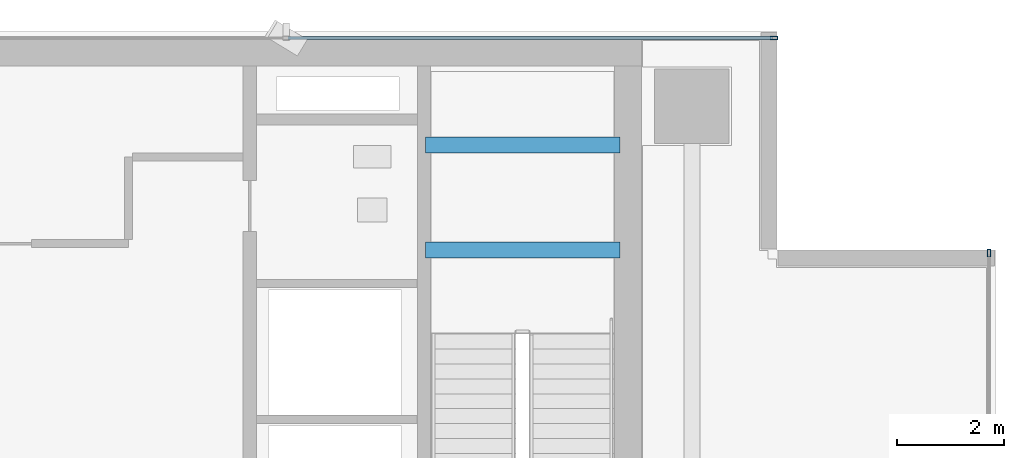
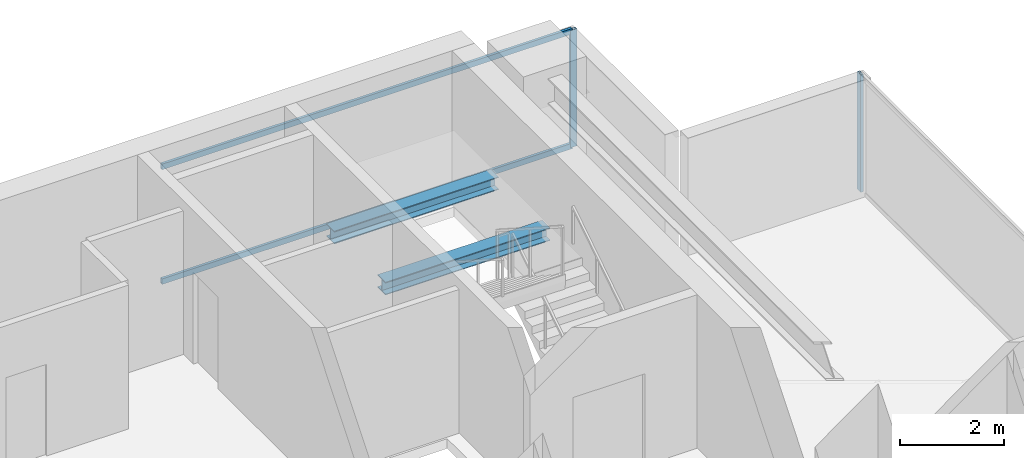
# One storey, part 18 of 26: 4 members, 2 beams, 2 elements without a shape of their own.
"""IFC4 building model written with IfcOpenShell, lengths in metres."""

from ifc_helpers import new_model, si_unit, direction, frame, origin, origin_2d, place, context, subcontext, project, spatial, hollow_rectangle, i_section, extrude, source, transform, mapped, material, layer, layer_set, material_profile, profile_set, type_object, element, aggregate, save


model = new_model("IFC4")

# Units and contexts
model_context = context("Model", 3, precision=1e-05, world=origin(), true_north=direction((0.0, 1.0)))
body_context = subcontext(model_context, "Body", "Model", "MODEL_VIEW")
ifc_project = project(units=[si_unit("LENGTHUNIT", "METRE"), si_unit("AREAUNIT", "SQUARE_METRE"), si_unit("VOLUMEUNIT", "CUBIC_METRE"), si_unit("PLANEANGLEUNIT", "RADIAN"), si_unit("MASSUNIT", "GRAM", prefix="KILO")], contexts=[model_context])

# Site, building, storey
site_placement = place(None, origin())
site = spatial("IfcSite", under=ifc_project, at=site_placement, CompositionType="ELEMENT")
building_placement = place(site_placement, origin())
building = spatial("IfcBuilding", under=site, at=building_placement, Name="Sumidabori Civic Tower", CompositionType="ELEMENT")
storey_placement = place(building_placement, frame((0.0, 0.0, 236.0)))
storey = spatial("IfcBuildingStorey", under=building, at=storey_placement, Name="L61", CompositionType="ELEMENT", Elevation=236.0)

# Beams
ifc_material_1 = material(Name="Steel SN490", Category="steel")
ifc_material_profile_1 = material_profile(ifc_material_1, i_section(OverallWidth=0.300048828125, OverallDepth=0.300048828125, WebThickness=0.010986328125, FlangeThickness=0.01904296875, at=origin_2d()), Name="HE 300 B")
ifc_profile_set_1 = profile_set([ifc_material_profile_1], Name="Steel SN490")
beam_type = type_object("IfcBeamType", Name="BM-LDG-300", PredefinedType="BEAM", material=ifc_profile_set_1)
shared_shape_1 = source(origin(), body_context, "Body", "SweptSolid", [
    extrude(i_section(OverallWidth=0.300048828125, OverallDepth=0.300048828125, WebThickness=0.010986328125, FlangeThickness=0.01904296875, at=origin_2d()), origin(), (0.0, 0.0, 1.0), 3.64990234375),
])
for number, where, z_axis, x_axis, name in (
    (1, (11.800048828125, 20.09765625, 1.449951171875), (1.0, 0.0, 0.0), (0.0, 1.0, 0.0), "Stair ST-2 Landing Support Beam L61-1A"),
    (2, (11.800048828125, 22.069580078125, 1.449951171875), (1.0, 0.0, 0.0), (0.0, 1.0, 0.0), "Stair ST-2 Landing Trimmer Beam L61-1B"),
):
    element("IfcBeam", number, at=place(storey_placement, frame(where, z_axis=z_axis, x_axis=x_axis)), inside=storey, type_object=beam_type, Name=name, PredefinedType="BEAM", context=body_context, shape_type="MappedRepresentation", body=[
        mapped(shared_shape_1, transform((0.0, 0.0, 0.0), x_axis=(1.0, 0.0, 0.0), y_axis=(0.0, 1.0, 0.0), z_axis=(0.0, 0.0, 1.0), scale=1.0)),
    ])

# Curtain wall, members
ifc_material_2 = material(Name="Anodised Bronze Aluminium AW-6063-T6", Category="aluminium")
ifc_layer = layer(ifc_material_2, 0.179931640625, Name="Anodised Bronze Aluminium AW-6063-T6")
ifc_layer_set = layer_set([ifc_layer], Name="Anodised Bronze Aluminium AW-6063-T6")
curtain_wall_type = type_object("IfcCurtainWallType", Name="CW-SYS-5", PredefinedType="NOTDEFINED", material=ifc_layer_set)
curtain_wall_1_placement = place(storey_placement, origin())
curtain_wall_1 = element("IfcCurtainWall", 3, at=curtain_wall_1_placement, inside=storey, type_object=curtain_wall_type, Name="Curtain Wall CW:L61:R07", PredefinedType="NOTDEFINED")
ifc_material_profile_2 = material_profile(ifc_material_2, hollow_rectangle(XDim=0.06005859375, YDim=0.1298828125, WallThickness=0.0048828125, at=origin_2d()), Name="ALU TRANSOM 130x60")
ifc_profile_set_2 = profile_set([ifc_material_profile_2], Name="Anodised Bronze Aluminium AW-6063-T6")
member_type_1 = type_object("IfcMemberType", Name="CW-TRN-130", PredefinedType="USERDEFINED", material=ifc_profile_set_2)
shared_shape_2 = source(origin(), body_context, "Body", "SweptSolid", [
    extrude(hollow_rectangle(XDim=0.06005859375, YDim=0.1298828125, WallThickness=0.0048828125, at=origin_2d()), origin(), (0.0, 0.0, 1.0), 9.094970703125),
])
member_1_placement = place(storey_placement, frame((18.31005859375, 24.080078125, 0.030029296875), z_axis=(-1.0, 0.0, 0.0), x_axis=(0.0, -1.0, 0.0)))
member_1 = element("IfcMember", 4, at=member_1_placement, type_object=member_type_1, Name="CW-5 transom 1.1", ObjectType="TRANSOM", PredefinedType="USERDEFINED", context=body_context, shape_type="MappedRepresentation", body=[
    mapped(shared_shape_2, transform((0.0, 0.0, 0.0), x_axis=(1.0, 0.0, 0.0), y_axis=(0.0, 1.0, 0.0), z_axis=(0.0, 0.0, 1.0), scale=1.0)),
])
member_2_placement = place(storey_placement, frame((18.31005859375, 24.080078125, 2.719970703125), z_axis=(-1.0, 0.0, 0.0), x_axis=(0.0, -1.0, 0.0)))
member_2 = element("IfcMember", 5, at=member_2_placement, type_object=member_type_1, Name="CW-5 transom 1.2", ObjectType="TRANSOM", PredefinedType="USERDEFINED", context=body_context, shape_type="MappedRepresentation", body=[
    mapped(shared_shape_2, transform((0.0, 0.0, 0.0), x_axis=(1.0, 0.0, 0.0), y_axis=(0.0, 1.0, 0.0), z_axis=(0.0, 0.0, 1.0), scale=1.0)),
])

# Curtain wall, member
curtain_wall_2_placement = place(storey_placement, origin())
curtain_wall_2 = element("IfcCurtainWall", 6, at=curtain_wall_2_placement, inside=storey, type_object=curtain_wall_type, Name="Curtain Wall CW:L61:R04", PredefinedType="NOTDEFINED")
ifc_material_profile_3 = material_profile(ifc_material_2, hollow_rectangle(XDim=0.06005859375, YDim=0.139892578125, WallThickness=0.0048828125, at=origin_2d()), Name="ALU MULLION 140x60")
ifc_profile_set_3 = profile_set([ifc_material_profile_3], Name="Anodised Bronze Aluminium AW-6063-T6")
member_type_2 = type_object("IfcMemberType", Name="CW-MUL-140", PredefinedType="MULLION", material=ifc_profile_set_3)
shared_shape_3 = source(origin(), body_context, "Body", "SweptSolid", [
    extrude(hollow_rectangle(XDim=0.06005859375, YDim=0.139892578125, WallThickness=0.0048828125, at=origin_2d()), origin(), (0.0, 0.0, 1.0), 2.75),
])
member_3_placement = place(storey_placement, frame((22.3798828125, 20.0400390625, 0.0), z_axis=(0.0, 0.0, 1.0), x_axis=(-1.0, 0.0, 0.0)))
member_3 = element("IfcMember", 7, at=member_3_placement, type_object=member_type_2, Name="CW-5 mullion 4", PredefinedType="MULLION", context=body_context, shape_type="MappedRepresentation", body=[
    mapped(shared_shape_3, transform((0.0, 0.0, 0.0), x_axis=(1.0, 0.0, 0.0), y_axis=(0.0, 1.0, 0.0), z_axis=(0.0, 0.0, 1.0), scale=1.0)),
])
aggregate(curtain_wall_2, [member_3])

# Member
member_4_placement = place(storey_placement, frame((18.340087890625, 24.080078125, 0.0), z_axis=(0.0, 0.0, 1.0), x_axis=(0.0, -1.0, 0.0)))
member_4 = element("IfcMember", 8, at=member_4_placement, type_object=member_type_2, Name="CW-5 mullion 1", PredefinedType="MULLION", context=body_context, shape_type="MappedRepresentation", body=[
    mapped(shared_shape_3, transform((0.0, 0.0, 0.0), x_axis=(1.0, 0.0, 0.0), y_axis=(0.0, 1.0, 0.0), z_axis=(0.0, 0.0, 1.0), scale=1.0)),
])

aggregate(curtain_wall_1, [member_4, member_1, member_2])

save(model, "model.ifc")
